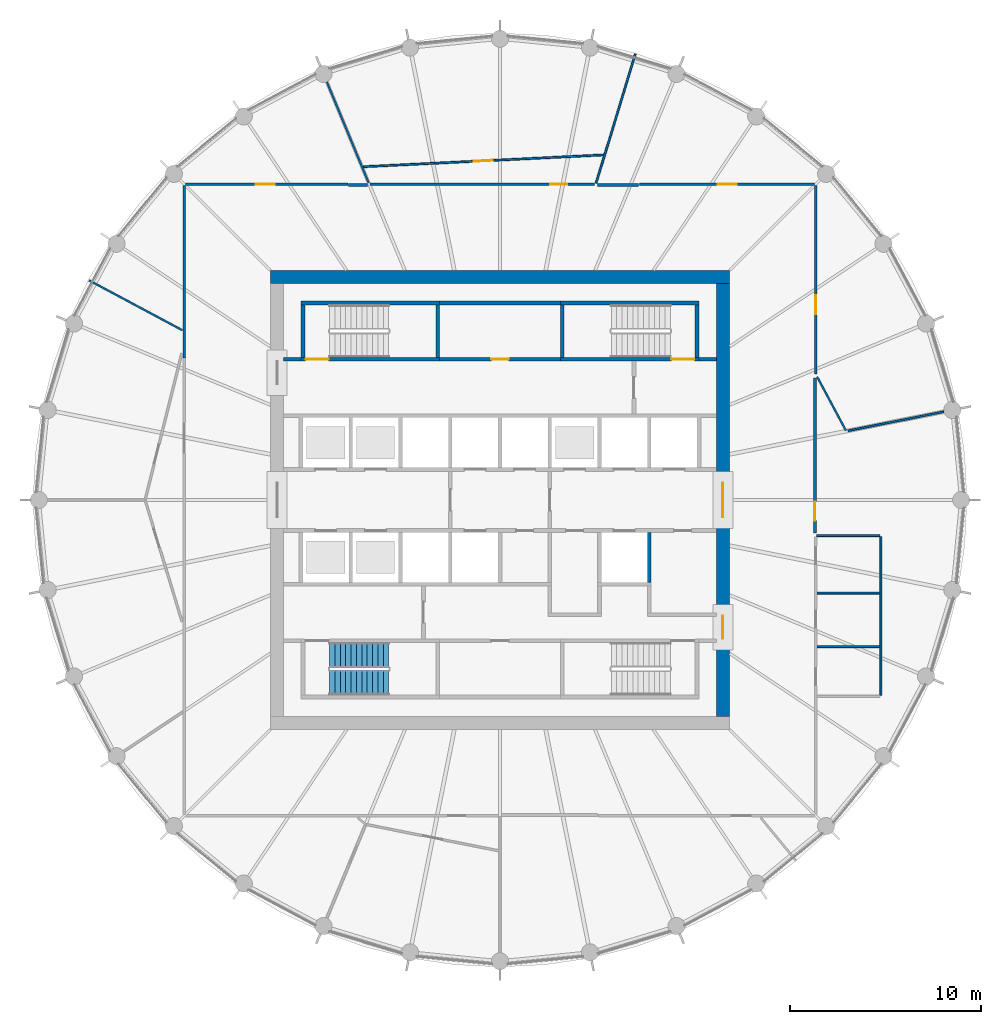
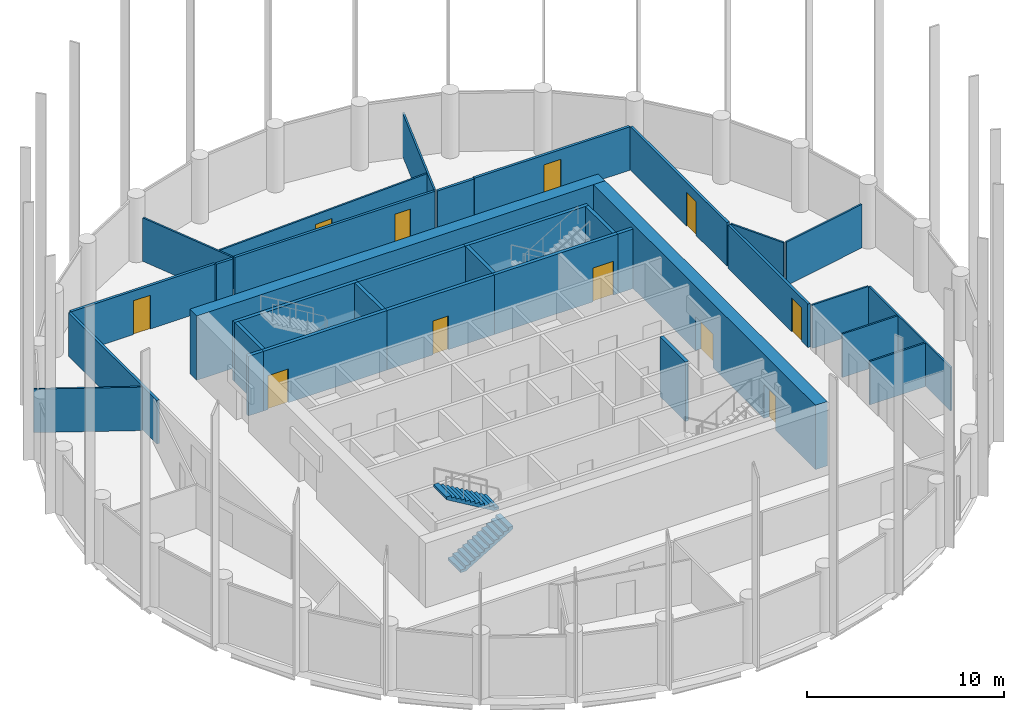
# One storey, part 6 of 9: 33 walls, 11 doors, 2 stair flights, 11 openings, 1 element without a shape of its own.
"""IFC4 building model written with IfcOpenShell, lengths in metres."""

from ifc_helpers import new_model, si_unit, direction, frame, frame_2d, origin, place, context, subcontext, project, spatial, polyline, rectangle, outline, extrude, material, layer, layer_set, type_object, element, fill, aggregate, save


model = new_model("IFC4")

# Units and contexts
model_context = context("Model", 3, precision=1e-05, world=origin(), true_north=direction((0.0, 1.0)))
body_context = subcontext(model_context, "Body", "Model", "MODEL_VIEW")
ifc_project = project(units=[si_unit("LENGTHUNIT", "METRE"), si_unit("AREAUNIT", "SQUARE_METRE"), si_unit("VOLUMEUNIT", "CUBIC_METRE"), si_unit("PLANEANGLEUNIT", "RADIAN"), si_unit("MASSUNIT", "GRAM", prefix="KILO")], contexts=[model_context])

# Site, building, storey
site_placement = place(None, origin())
site = spatial("IfcSite", under=ifc_project, at=site_placement, CompositionType="ELEMENT")
building_placement = place(site_placement, origin())
building = spatial("IfcBuilding", under=site, at=building_placement, Name="Corvane Civic Tower", CompositionType="ELEMENT")
storey_placement = place(building_placement, frame((0.0, 0.0, 263.0)))
storey = spatial("IfcBuildingStorey", under=building, at=storey_placement, Name="L62", CompositionType="ELEMENT", Elevation=263.0)

# Wall
ifc_material_1 = material(Name="Concrete C40/50", Category="concrete")
ifc_layer_1 = layer(ifc_material_1, 0.699951171875)
ifc_layer_set_1 = layer_set([ifc_layer_1], Name="Concrete C40/50")
wall_type_1 = type_object("IfcWallType", Name="CORE WALL 700 C40/50", PredefinedType="SHEAR", material=ifc_layer_set_1)
wall_1_placement = place(storey_placement, frame((-12.0, 11.64990234375, 0.0), z_axis=(0.0, 0.0, 1.0), x_axis=(1.0, 0.0, 0.0)))
element("IfcWall", 1, at=wall_1_placement, inside=storey, type_object=wall_type_1, Name="W-L62-core-N", PredefinedType="SHEAR", context=body_context, shape_type="SweptSolid", body=[
    extrude(rectangle(XDim=24.0, YDim=0.699951171875, at=frame_2d((12.0, 0.0))), origin(), (0.0, 0.0, 1.0), 4.0),
])

# Wall, openings, doors
wall_2_placement = place(storey_placement, frame((11.64990234375, -11.300048828125, 0.0), z_axis=(0.0, 0.0, 1.0), x_axis=(0.0, 1.0, 0.0)))
wall_2 = element("IfcWall", 2, at=wall_2_placement, inside=storey, type_object=wall_type_1, Name="W-L62-core-E", PredefinedType="SHEAR", context=body_context, shape_type="SweptSolid", body=[
    extrude(rectangle(XDim=22.60009765625, YDim=0.699951171875, at=frame_2d((11.300048828125, 0.0))), origin(), (0.0, 0.0, 1.0), 4.0),
])
opening_1_placement = place(wall_2_placement, frame((10.39990234375, 0.0, 0.0)))
opening_1 = element("IfcOpeningElement", 3, at=opening_1_placement, cuts=wall_2, Name="Opening L62.C15", PredefinedType="OPENING", context=body_context, shape_type="SweptSolid", body=[
    extrude(rectangle(XDim=1.800048828125, YDim=2.10009765625, at=frame_2d((0.89990234375, 1.050048828125))), frame((0.0, 0.35986328125, 0.0), z_axis=(0.0, -1.0, 0.0), x_axis=(1.0, 0.0, 0.0)), (0.0, 0.0, 1.0), 0.719970703125),
])
opening_2_placement = place(wall_2_placement, frame((4.050048828125, 0.0, 0.0)))
opening_2 = element("IfcOpeningElement", 4, at=opening_2_placement, cuts=wall_2, Name="Opening L62.C17", PredefinedType="OPENING", context=body_context, shape_type="SweptSolid", body=[
    extrude(rectangle(XDim=1.199951171875, YDim=2.10009765625, at=frame_2d((0.60009765625, 1.050048828125))), frame((0.0, 0.35986328125, 0.0), z_axis=(0.0, -1.0, 0.0), x_axis=(1.0, 0.0, 0.0)), (0.0, 0.0, 1.0), 0.719970703125),
])
ifc_material_2 = material(Name="Steel fire door leaf", Category="steel")
door_type_1 = type_object("IfcDoorType", Name="CR-DOOR-CORE-1800", OperationType="DOUBLE_DOOR_SINGLE_SWING", PredefinedType="DOOR", material=ifc_material_2)
door_1_placement = place(opening_1_placement, origin())
door_1 = element("IfcDoor", 5, at=door_1_placement, inside=storey, type_object=door_type_1, Name="L62 door", OperationType="DOUBLE_DOOR_SINGLE_SWING", OverallHeight=2.10009765625, OverallWidth=1.800048828125, PredefinedType="DOOR", context=body_context, shape_type="SweptSolid", body=[
    extrude(rectangle(XDim=1.800048828125, YDim=2.10009765625, at=frame_2d((0.89990234375, 1.050048828125))), frame((0.0, 0.02490234375, 0.0), z_axis=(0.0, -1.0, 0.0), x_axis=(1.0, 0.0, 0.0)), (0.0, 0.0, 1.0), 0.050048828125),
])
fill(opening_1, door_1)
door_2_placement = place(opening_2_placement, origin())
door_2 = element("IfcDoor", 6, at=door_2_placement, inside=storey, type_object=door_type_1, Name="L62 door", OperationType="DOUBLE_DOOR_SINGLE_SWING", OverallHeight=2.10009765625, OverallWidth=1.199951171875, PredefinedType="DOOR", context=body_context, shape_type="SweptSolid", body=[
    extrude(rectangle(XDim=1.199951171875, YDim=2.10009765625, at=frame_2d((0.60009765625, 1.050048828125))), frame((0.0, 0.02490234375, 0.0), z_axis=(0.0, -1.0, 0.0), x_axis=(1.0, 0.0, 0.0)), (0.0, 0.0, 1.0), 0.050048828125),
])
fill(opening_2, door_2)

# Wall, opening, door
ifc_material_3 = material(Name="Concrete C30/37", Category="concrete")
ifc_layer_2 = layer(ifc_material_3, 0.199951171875)
ifc_layer_set_2 = layer_set([ifc_layer_2], Name="Concrete C30/37")
wall_type_2 = type_object("IfcWallType", Name="CR-WALL-200", PredefinedType="PARTITIONING", material=ifc_layer_set_2)
wall_3_placement = place(storey_placement, frame((-3.14990234375, 7.35009765625, 0.0), z_axis=(0.0, 0.0, 1.0), x_axis=(1.0, 0.0, 0.0)))
wall_3 = element("IfcWall", 7, at=wall_3_placement, inside=storey, type_object=wall_type_2, Name="L62 core partition wall", PredefinedType="PARTITIONING", context=body_context, shape_type="SweptSolid", body=[
    extrude(rectangle(XDim=6.2998046875, YDim=0.199951171875, at=frame_2d((3.14990234375, 0.0))), origin(), (0.0, 0.0, 1.0), 3.699951171875),
])
opening_3_placement = place(wall_3_placement, frame((2.699951171875, 0.0, 0.0)))
opening_3 = element("IfcOpeningElement", 8, at=opening_3_placement, cuts=wall_3, Name="Opening L62.C04", PredefinedType="OPENING", context=body_context, shape_type="SweptSolid", body=[
    extrude(rectangle(XDim=0.89990234375, YDim=2.10009765625, at=frame_2d((0.449951171875, 1.050048828125))), frame((0.0, 0.10986328125, 0.0), z_axis=(0.0, -1.0, 0.0), x_axis=(1.0, 0.0, 0.0)), (0.0, 0.0, 1.0), 0.219970703125),
])
ifc_material_4 = material(Name="Steel fire door leaf", Category="steel")
door_type_2 = type_object("IfcDoorType", Name="CR-DOOR-900", OperationType="SINGLE_SWING_LEFT", PredefinedType="DOOR", material=ifc_material_4)
door_3_placement = place(opening_3_placement, origin())
door_3 = element("IfcDoor", 9, at=door_3_placement, inside=storey, type_object=door_type_2, Name="L62 door", OperationType="SINGLE_SWING_LEFT", OverallHeight=2.10009765625, OverallWidth=0.89990234375, PredefinedType="DOOR", context=body_context, shape_type="SweptSolid", body=[
    extrude(rectangle(XDim=0.89990234375, YDim=2.10009765625, at=frame_2d((0.449951171875, 1.050048828125))), frame((0.0, 0.02490234375, 0.0), z_axis=(0.0, -1.0, 0.0), x_axis=(1.0, 0.0, 0.0)), (0.0, 0.0, 1.0), 0.050048828125),
])
fill(opening_3, door_3)

# Walls
wall_4_placement = place(storey_placement, origin())
element("IfcWall", 10, at=wall_4_placement, inside=storey, type_object=wall_type_2, Name="L62 core partition wall", PredefinedType="PARTITIONING", context=body_context, shape_type="SweptSolid", body=[
    extrude(outline(polyline([(7.89990234375, -1.699951171875), (7.89990234375, -4.2998046875), (7.699951171875, -4.2998046875), (7.699951171875, -1.699951171875), (7.89990234375, -1.699951171875)])), origin(), (0.0, 0.0, 1.0), 3.699951171875),
])
wall_5_placement = place(storey_placement, origin())
element("IfcWall", 11, at=wall_5_placement, inside=storey, type_object=wall_type_2, Name="L62 core partition wall", PredefinedType="PARTITIONING", context=body_context, shape_type="SweptSolid", body=[
    extrude(outline(polyline([(-11.300048828125, 7.25), (-11.300048828125, 7.449951171875), (-10.39990234375, 7.449951171875), (-10.39990234375, 7.25), (-11.300048828125, 7.25)])), origin(), (0.0, 0.0, 1.0), 3.699951171875),
])
wall_6_placement = place(storey_placement, origin())
element("IfcWall", 12, at=wall_6_placement, inside=storey, type_object=wall_type_2, Name="L62 core partition wall", PredefinedType="PARTITIONING", context=body_context, shape_type="SweptSolid", body=[
    extrude(outline(polyline([(3.14990234375, 10.199951171875), (-3.14990234375, 10.199951171875), (-3.14990234375, 10.39990234375), (3.14990234375, 10.39990234375), (3.14990234375, 10.199951171875)])), origin(), (0.0, 0.0, 1.0), 3.699951171875),
])
wall_7_placement = place(storey_placement, origin())
element("IfcWall", 13, at=wall_7_placement, inside=storey, type_object=wall_type_2, Name="L62 core partition wall", PredefinedType="PARTITIONING", context=body_context, shape_type="SweptSolid", body=[
    extrude(outline(polyline([(10.39990234375, 7.25), (10.39990234375, 7.449951171875), (11.300048828125, 7.449951171875), (11.300048828125, 7.25), (10.39990234375, 7.25)])), origin(), (0.0, 0.0, 1.0), 3.699951171875),
])
ifc_material_5 = material(Name="Plasterboard")
ifc_layer_3 = layer(ifc_material_5, 0.10009765625)
ifc_layer_set_3 = layer_set([ifc_layer_3], Name="Plasterboard")
wall_type_3 = type_object("IfcWallType", Name="Partition 100 plasterboard on studs", PredefinedType="PARTITIONING", material=ifc_layer_set_3)
wall_8_placement = place(storey_placement, frame((19.89990234375, -10.2119140625, 0.0), z_axis=(0.0, 0.0, 1.0), x_axis=(0.0, 1.0, 0.0)))
element("IfcWall", 14, at=wall_8_placement, inside=storey, type_object=wall_type_3, Name="Partition L62.012", PredefinedType="PARTITIONING", context=body_context, shape_type="SweptSolid", body=[
    extrude(rectangle(XDim=8.300048828125, YDim=0.10009765625, at=frame_2d((4.14990234375, 0.0))), origin(), (0.0, 0.0, 1.0), 2.699951171875),
])
for number, where, z_axis, x_axis, name in (
    (15, (16.574951171875, -7.661865234375, 0.0), (0.0, 0.0, 1.0), (1.0, 0.0, 0.0), "Partition L62.013"),
    (16, (16.574951171875, -4.86181640625, 0.0), (0.0, 0.0, 1.0), (1.0, 0.0, 0.0), "Partition L62.016"),
):
    element("IfcWall", number, at=place(storey_placement, frame(where, z_axis=z_axis, x_axis=x_axis)), inside=storey, type_object=wall_type_3, Name=name, PredefinedType="PARTITIONING", context=body_context, shape_type="SweptSolid", body=[
        extrude(rectangle(XDim=3.275146484375, YDim=0.10009765625, at=frame_2d((1.6376953125, 0.0))), origin(), (0.0, 0.0, 1.0), 2.699951171875),
    ])
wall_9_placement = place(storey_placement, frame((16.550048828125, -1.86181640625, 0.0), z_axis=(0.0, 0.0, 1.0), x_axis=(1.0, 0.0, 0.0)))
element("IfcWall", 17, at=wall_9_placement, inside=storey, type_object=wall_type_3, Name="Partition L62.017", PredefinedType="PARTITIONING", context=body_context, shape_type="SweptSolid", body=[
    extrude(rectangle(XDim=3.300048828125, YDim=0.10009765625, at=frame_2d((1.64990234375, 0.0))), origin(), (0.0, 0.0, 1.0), 2.699951171875),
])
wall_10_placement = place(storey_placement, frame((18.1845703125, 3.6171875, 0.0), z_axis=(0.0, 0.0, 1.0), x_axis=(0.980791874467, 0.195057168493, 0.0)))
element("IfcWall", 18, at=wall_10_placement, inside=storey, type_object=wall_type_3, Name="Partition L62.021", PredefinedType="PARTITIONING", context=body_context, shape_type="SweptSolid", body=[
    extrude(rectangle(XDim=5.09912109375, YDim=0.10009765625, at=frame_2d((2.549560546875, 0.0))), origin(), (0.0, 0.0, 1.0), 2.699951171875),
])
wall_11_placement = place(storey_placement, frame((16.569091796875, 6.441162109375, 0.0), z_axis=(0.0, 0.0, 1.0), x_axis=(0.471411176232, -0.881913546173, 0.0)))
element("IfcWall", 19, at=wall_11_placement, inside=storey, type_object=wall_type_3, Name="Partition L62.022", PredefinedType="PARTITIONING", context=body_context, shape_type="SweptSolid", body=[
    extrude(rectangle(XDim=3.1865234375, YDim=0.10009765625, at=frame_2d((1.59326171875, 0.0))), origin(), (0.0, 0.0, 1.0), 2.699951171875),
])
wall_12_placement = place(storey_placement, frame((-21.47509765625, 11.478515625, 0.0), z_axis=(0.0, 0.0, 1.0), x_axis=(0.881927237944, -0.471385560844, 0.0)))
element("IfcWall", 20, at=wall_12_placement, inside=storey, type_object=wall_type_3, Name="Partition L62.025", PredefinedType="PARTITIONING", context=body_context, shape_type="SweptSolid", body=[
    extrude(rectangle(XDim=5.529296875, YDim=0.10009765625, at=frame_2d((2.7646484375, 0.0))), origin(), (0.0, 0.0, 1.0), 2.699951171875),
])
wall_13_placement = place(storey_placement, frame((5.021728515625, 16.554443359375, 0.0), z_axis=(0.0, 0.0, 1.0), x_axis=(0.290297604536, 0.956936414189, 0.0)))
element("IfcWall", 21, at=wall_13_placement, inside=storey, type_object=wall_type_3, Name="Partition L62.031", PredefinedType="PARTITIONING", context=body_context, shape_type="SweptSolid", body=[
    extrude(rectangle(XDim=7.051025390625, YDim=0.10009765625, at=frame_2d((3.525390625, 0.0))), origin(), (0.0, 0.0, 1.0), 2.699951171875),
])
wall_14_placement = place(storey_placement, frame((-9.046630859375, 21.84033203125, 0.0), z_axis=(0.0, 0.0, 1.0), x_axis=(0.382673022153, -0.923883844494, 0.0)))
element("IfcWall", 22, at=wall_14_placement, inside=storey, type_object=wall_type_3, Name="Partition L62.032", PredefinedType="PARTITIONING", context=body_context, shape_type="SweptSolid", body=[
    extrude(rectangle(XDim=5.70556640625, YDim=0.10009765625, at=frame_2d((2.852783203125, 0.0))), origin(), (0.0, 0.0, 1.0), 2.699951171875),
])

# Wall, opening, door
wall_15_placement = place(storey_placement, frame((-7.14013671875, 17.41259765625, 0.0), z_axis=(0.0, 0.0, 1.0), x_axis=(0.998794697584, 0.049083113972, 0.0)))
wall_15 = element("IfcWall", 23, at=wall_15_placement, inside=storey, type_object=wall_type_3, Name="Partition L62.033", PredefinedType="PARTITIONING", context=body_context, shape_type="SweptSolid", body=[
    extrude(rectangle(XDim=12.554443359375, YDim=0.10009765625, at=frame_2d((6.27734375, 0.0))), origin(), (0.0, 0.0, 1.0), 2.699951171875),
])
opening_4_placement = place(wall_15_placement, frame((5.777099609375, 0.0, 0.0)))
opening_4 = element("IfcOpeningElement", 24, at=opening_4_placement, cuts=wall_15, Name="Opening L62.008", PredefinedType="OPENING", context=body_context, shape_type="SweptSolid", body=[
    extrude(rectangle(XDim=1.0, YDim=2.10009765625, at=frame_2d((0.5, 1.050048828125))), frame((0.0, 0.06005859375, 0.0), z_axis=(0.0, -1.0, 0.0), x_axis=(1.0, 0.0, 0.0)), (0.0, 0.0, 1.0), 0.1201171875),
])
ifc_material_6 = material(Name="Timber", Category="wood")
door_type_3 = type_object("IfcDoorType", Name="Single door 1000", OperationType="NOTDEFINED", PredefinedType="DOOR", material=ifc_material_6)
door_4_placement = place(opening_4_placement, origin())
door_4 = element("IfcDoor", 25, at=door_4_placement, inside=storey, type_object=door_type_3, Name="Door L62.008", OperationType="SINGLE_SWING_RIGHT", OverallHeight=2.10009765625, OverallWidth=1.0, PredefinedType="DOOR", context=body_context, shape_type="SweptSolid", body=[
    extrude(rectangle(XDim=1.0, YDim=2.10009765625, at=frame_2d((0.5, 1.050048828125))), frame((0.0, 0.02490234375, 0.0), z_axis=(0.0, -1.0, 0.0), x_axis=(1.0, 0.0, 0.0)), (0.0, 0.0, 1.0), 0.050048828125),
])
fill(opening_4, door_4)

ifc_material_7 = material(Name="Concrete C50/60", Category="concrete")
ifc_layer_4 = layer(ifc_material_7, 0.199951171875)
ifc_layer_set_4 = layer_set([ifc_layer_4], Name="Concrete C50/60")
wall_type_4 = type_object("IfcWallType", Name="ST-WALL-200", PredefinedType="SHEAR", material=ifc_layer_set_4)
wall_16_placement = place(storey_placement, frame((-10.39990234375, 7.35009765625, 0.0), z_axis=(0.0, 0.0, 1.0), x_axis=(1.0, 0.0, 0.0)))
wall_16 = element("IfcWall", 26, at=wall_16_placement, inside=storey, type_object=wall_type_4, Name="L62 stair enclosure wall", PredefinedType="SHEAR", context=body_context, shape_type="SweptSolid", body=[
    extrude(rectangle(XDim=7.25, YDim=0.199951171875, at=frame_2d((3.625, 0.0))), origin(), (0.0, 0.0, 1.0), 3.699951171875),
])
opening_5_placement = place(wall_16_placement, frame((0.25, 0.0, 0.0)))
opening_5 = element("IfcOpeningElement", 27, at=opening_5_placement, cuts=wall_16, Name="Opening L62.C07", PredefinedType="OPENING", context=body_context, shape_type="SweptSolid", body=[
    extrude(rectangle(XDim=1.199951171875, YDim=2.10009765625, at=frame_2d((0.60009765625, 1.050048828125))), frame((0.0, 0.10986328125, 0.0), z_axis=(0.0, -1.0, 0.0), x_axis=(1.0, 0.0, 0.0)), (0.0, 0.0, 1.0), 0.219970703125),
])
ifc_material_8 = material(Name="Steel fire door leaf", Category="steel")
door_type_4 = type_object("IfcDoorType", Name="ST-DOOR-1200", OperationType="SINGLE_SWING_RIGHT", PredefinedType="DOOR", material=ifc_material_8)
door_5_placement = place(opening_5_placement, origin())
door_5 = element("IfcDoor", 28, at=door_5_placement, inside=storey, type_object=door_type_4, Name="L62 stair door", OperationType="SINGLE_SWING_RIGHT", OverallHeight=2.10009765625, OverallWidth=1.199951171875, PredefinedType="DOOR", context=body_context, shape_type="SweptSolid", body=[
    extrude(rectangle(XDim=1.199951171875, YDim=2.10009765625, at=frame_2d((0.60009765625, 1.050048828125))), frame((0.0, 0.02490234375, 0.0), z_axis=(0.0, -1.0, 0.0), x_axis=(1.0, 0.0, 0.0)), (0.0, 0.0, 1.0), 0.050048828125),
])
fill(opening_5, door_5)

wall_17_placement = place(storey_placement, frame((3.14990234375, 7.35009765625, 0.0), z_axis=(0.0, 0.0, 1.0), x_axis=(1.0, 0.0, 0.0)))
wall_17 = element("IfcWall", 29, at=wall_17_placement, inside=storey, type_object=wall_type_4, Name="L62 stair enclosure wall", PredefinedType="SHEAR", context=body_context, shape_type="SweptSolid", body=[
    extrude(rectangle(XDim=7.25, YDim=0.199951171875, at=frame_2d((3.625, 0.0))), origin(), (0.0, 0.0, 1.0), 3.699951171875),
])
opening_6_placement = place(wall_17_placement, frame((5.800048828125, 0.0, 0.0)))
opening_6 = element("IfcOpeningElement", 30, at=opening_6_placement, cuts=wall_17, Name="Opening L62.C06", PredefinedType="OPENING", context=body_context, shape_type="SweptSolid", body=[
    extrude(rectangle(XDim=1.199951171875, YDim=2.10009765625, at=frame_2d((0.60009765625, 1.050048828125))), frame((0.0, 0.10986328125, 0.0), z_axis=(0.0, -1.0, 0.0), x_axis=(1.0, 0.0, 0.0)), (0.0, 0.0, 1.0), 0.219970703125),
])
door_6_placement = place(opening_6_placement, origin())
door_6 = element("IfcDoor", 31, at=door_6_placement, inside=storey, type_object=door_type_4, Name="L62 stair door", OperationType="SINGLE_SWING_RIGHT", OverallHeight=2.10009765625, OverallWidth=1.199951171875, PredefinedType="DOOR", context=body_context, shape_type="SweptSolid", body=[
    extrude(rectangle(XDim=1.199951171875, YDim=2.10009765625, at=frame_2d((0.60009765625, 1.050048828125))), frame((0.0, 0.02490234375, 0.0), z_axis=(0.0, -1.0, 0.0), x_axis=(1.0, 0.0, 0.0)), (0.0, 0.0, 1.0), 0.050048828125),
])
fill(opening_6, door_6)

# Walls
wall_18_placement = place(storey_placement, origin())
element("IfcWall", 32, at=wall_18_placement, inside=storey, type_object=wall_type_4, Name="L62 stair enclosure wall", PredefinedType="SHEAR", context=body_context, shape_type="SweptSolid", body=[
    extrude(outline(polyline([(-3.14990234375, 10.199951171875), (-10.39990234375, 10.199951171875), (-10.39990234375, 10.39990234375), (-3.14990234375, 10.39990234375), (-3.14990234375, 10.199951171875)])), origin(), (0.0, 0.0, 1.0), 3.699951171875),
])
wall_19_placement = place(storey_placement, origin())
element("IfcWall", 33, at=wall_19_placement, inside=storey, type_object=wall_type_4, Name="L62 stair enclosure wall", PredefinedType="SHEAR", context=body_context, shape_type="SweptSolid", body=[
    extrude(outline(polyline([(10.39990234375, 10.199951171875), (3.14990234375, 10.199951171875), (3.14990234375, 10.39990234375), (10.39990234375, 10.39990234375), (10.39990234375, 10.199951171875)])), origin(), (0.0, 0.0, 1.0), 3.699951171875),
])
wall_20_placement = place(storey_placement, origin())
element("IfcWall", 34, at=wall_20_placement, inside=storey, type_object=wall_type_4, Name="L62 stair enclosure wall", PredefinedType="SHEAR", context=body_context, shape_type="SweptSolid", body=[
    extrude(outline(polyline([(-3.14990234375, 7.449951171875), (-3.35009765625, 7.449951171875), (-3.35009765625, 10.199951171875), (-3.14990234375, 10.199951171875), (-3.14990234375, 7.449951171875)])), origin(), (0.0, 0.0, 1.0), 3.699951171875),
])
wall_21_placement = place(storey_placement, origin())
element("IfcWall", 35, at=wall_21_placement, inside=storey, type_object=wall_type_4, Name="L62 stair enclosure wall", PredefinedType="SHEAR", context=body_context, shape_type="SweptSolid", body=[
    extrude(outline(polyline([(3.35009765625, 7.449951171875), (3.14990234375, 7.449951171875), (3.14990234375, 10.199951171875), (3.35009765625, 10.199951171875), (3.35009765625, 7.449951171875)])), origin(), (0.0, 0.0, 1.0), 3.699951171875),
])
wall_22_placement = place(storey_placement, origin())
element("IfcWall", 36, at=wall_22_placement, inside=storey, type_object=wall_type_4, Name="L62 stair enclosure wall", PredefinedType="SHEAR", context=body_context, shape_type="SweptSolid", body=[
    extrude(outline(polyline([(-10.199951171875, 7.449951171875), (-10.39990234375, 7.449951171875), (-10.39990234375, 10.199951171875), (-10.199951171875, 10.199951171875), (-10.199951171875, 7.449951171875)])), origin(), (0.0, 0.0, 1.0), 3.699951171875),
])
wall_23_placement = place(storey_placement, origin())
element("IfcWall", 37, at=wall_23_placement, inside=storey, type_object=wall_type_4, Name="L62 stair enclosure wall", PredefinedType="SHEAR", context=body_context, shape_type="SweptSolid", body=[
    extrude(outline(polyline([(10.39990234375, 7.449951171875), (10.199951171875, 7.449951171875), (10.199951171875, 10.199951171875), (10.39990234375, 10.199951171875), (10.39990234375, 7.449951171875)])), origin(), (0.0, 0.0, 1.0), 3.699951171875),
])

# Wall, opening, door
ifc_material_9 = material(Name="Plasterboard")
ifc_layer_5 = layer(ifc_material_9, 0.14990234375)
ifc_layer_set_5 = layer_set([ifc_layer_5], Name="Plasterboard")
wall_type_5 = type_object("IfcWallType", Name="Tenancy wall 150 EI 60", PredefinedType="PARTITIONING", material=ifc_layer_set_5)
wall_24_placement = place(storey_placement, frame((16.449951171875, -1.7275390625, 0.0), z_axis=(0.0, 0.0, 1.0), x_axis=(0.0, 1.0, 0.0)))
wall_24 = element("IfcWall", 38, at=wall_24_placement, inside=storey, type_object=wall_type_5, Name="Partition L62.018", PredefinedType="PARTITIONING", context=body_context, shape_type="SweptSolid", body=[
    extrude(rectangle(XDim=8.092041015625, YDim=0.14990234375, at=frame_2d((4.0458984375, 0.0))), origin(), (0.0, 0.0, 1.0), 2.699951171875),
])
opening_7_placement = place(wall_24_placement, frame((0.643798828125, 0.0, 0.0)))
opening_7 = element("IfcOpeningElement", 39, at=opening_7_placement, cuts=wall_24, Name="Opening L62.012", PredefinedType="OPENING", context=body_context, shape_type="SweptSolid", body=[
    extrude(rectangle(XDim=1.0, YDim=2.10009765625, at=frame_2d((0.5, 1.050048828125))), frame((0.0, 0.0849609375, 0.0), z_axis=(0.0, -1.0, 0.0), x_axis=(1.0, 0.0, 0.0)), (0.0, 0.0, 1.0), 0.169921875),
])
ifc_material_10 = material(Name="Steel and timber", Category="steel")
door_type_5 = type_object("IfcDoorType", Name="Fire door FD30S 1000", OperationType="NOTDEFINED", PredefinedType="DOOR", material=ifc_material_10)
door_7_placement = place(opening_7_placement, frame((1.0, 0.0, 0.0), z_axis=(0.0, 0.0, 1.0), x_axis=(-1.0, 0.0, 0.0)))
door_7 = element("IfcDoor", 40, at=door_7_placement, inside=storey, type_object=door_type_5, Name="Door L62.012", OperationType="SINGLE_SWING_LEFT", OverallHeight=2.10009765625, OverallWidth=1.0, PredefinedType="DOOR", context=body_context, shape_type="SweptSolid", body=[
    extrude(rectangle(XDim=1.0, YDim=2.10009765625, at=frame_2d((0.5, 1.050048828125))), frame((0.0, 0.02490234375, 0.0), z_axis=(0.0, -1.0, 0.0), x_axis=(1.0, 0.0, 0.0)), (0.0, 0.0, 1.0), 0.050048828125),
])
fill(opening_7, door_7)

wall_25_placement = place(storey_placement, frame((16.5, 6.58935546875, 0.0), z_axis=(0.0, 0.0, 1.0), x_axis=(0.0, 1.0, 0.0)))
wall_25 = element("IfcWall", 41, at=wall_25_placement, inside=storey, type_object=wall_type_5, Name="Partition L62.023", PredefinedType="PARTITIONING", context=body_context, shape_type="SweptSolid", body=[
    extrude(rectangle(XDim=9.835693359375, YDim=0.14990234375, at=frame_2d((4.91796875, 0.0))), origin(), (0.0, 0.0, 1.0), 2.699951171875),
])
opening_8_placement = place(wall_25_placement, frame((3.115966796875, 0.0, 0.0)))
opening_8 = element("IfcOpeningElement", 42, at=opening_8_placement, cuts=wall_25, Name="Opening L62.011", PredefinedType="OPENING", context=body_context, shape_type="SweptSolid", body=[
    extrude(rectangle(XDim=1.0, YDim=2.10009765625, at=frame_2d((0.5, 1.050048828125))), frame((0.0, 0.0849609375, 0.0), z_axis=(0.0, -1.0, 0.0), x_axis=(1.0, 0.0, 0.0)), (0.0, 0.0, 1.0), 0.169921875),
])
door_8_placement = place(opening_8_placement, frame((1.0, 0.0, 0.0), z_axis=(0.0, 0.0, 1.0), x_axis=(-1.0, 0.0, 0.0)))
door_8 = element("IfcDoor", 43, at=door_8_placement, inside=storey, type_object=door_type_5, Name="Door L62.011", OperationType="SINGLE_SWING_RIGHT", OverallHeight=2.10009765625, OverallWidth=1.0, PredefinedType="DOOR", context=body_context, shape_type="SweptSolid", body=[
    extrude(rectangle(XDim=1.0, YDim=2.10009765625, at=frame_2d((0.5, 1.050048828125))), frame((0.0, 0.02490234375, 0.0), z_axis=(0.0, -1.0, 0.0), x_axis=(1.0, 0.0, 0.0)), (0.0, 0.0, 1.0), 0.050048828125),
])
fill(opening_8, door_8)

# Walls
wall_26_placement = place(storey_placement, frame((-16.5, 7.421142578125, 0.0), z_axis=(0.0, 0.0, 1.0), x_axis=(0.0, 1.0, 0.0)))
element("IfcWall", 44, at=wall_26_placement, inside=storey, type_object=wall_type_5, Name="Partition L62.024", PredefinedType="PARTITIONING", context=body_context, shape_type="SweptSolid", body=[
    extrude(rectangle(XDim=9.00390625, YDim=0.14990234375, at=frame_2d((4.501953125, 0.0))), origin(), (0.0, 0.0, 1.0), 2.699951171875),
])
wall_27_placement = place(storey_placement, frame((-7.90380859375, 16.449951171875, 0.0), z_axis=(0.0, 0.0, 1.0), x_axis=(1.0, 0.0, 0.0)))
element("IfcWall", 45, at=wall_27_placement, inside=storey, type_object=wall_type_5, Name="Partition L62.026", PredefinedType="PARTITIONING", context=body_context, shape_type="SweptSolid", body=[
    extrude(rectangle(XDim=0.977783203125, YDim=0.14990234375, at=frame_2d((0.48876953125, 0.0))), origin(), (0.0, 0.0, 1.0), 2.699951171875),
])
wall_28_placement = place(storey_placement, frame((5.09130859375, 16.449951171875, 0.0), z_axis=(0.0, 0.0, 1.0), x_axis=(1.0, 0.0, 0.0)))
element("IfcWall", 46, at=wall_28_placement, inside=storey, type_object=wall_type_5, Name="Partition L62.027", PredefinedType="PARTITIONING", context=body_context, shape_type="SweptSolid", body=[
    extrude(rectangle(XDim=2.140380859375, YDim=0.14990234375, at=frame_2d((1.0703125, 0.0))), origin(), (0.0, 0.0, 1.0), 2.699951171875),
])

# Wall, opening, door
wall_29_placement = place(storey_placement, frame((-16.425048828125, 16.5, 0.0), z_axis=(0.0, 0.0, 1.0), x_axis=(1.0, 0.0, 0.0)))
wall_29 = element("IfcWall", 47, at=wall_29_placement, inside=storey, type_object=wall_type_5, Name="Partition L62.028", PredefinedType="PARTITIONING", context=body_context, shape_type="SweptSolid", body=[
    extrude(rectangle(XDim=8.47119140625, YDim=0.14990234375, at=frame_2d((4.235595703125, 0.0))), origin(), (0.0, 0.0, 1.0), 2.699951171875),
])
opening_9_placement = place(wall_29_placement, frame((3.66552734375, 0.0, 0.0)))
opening_9 = element("IfcOpeningElement", 48, at=opening_9_placement, cuts=wall_29, Name="Opening L62.007", PredefinedType="OPENING", context=body_context, shape_type="SweptSolid", body=[
    extrude(rectangle(XDim=1.0, YDim=2.10009765625, at=frame_2d((0.5, 1.050048828125))), frame((0.0, 0.0849609375, 0.0), z_axis=(0.0, -1.0, 0.0), x_axis=(1.0, 0.0, 0.0)), (0.0, 0.0, 1.0), 0.169921875),
])
door_9_placement = place(opening_9_placement, origin())
door_9 = element("IfcDoor", 49, at=door_9_placement, inside=storey, type_object=door_type_5, Name="Door L62.007", OperationType="SINGLE_SWING_LEFT", OverallHeight=2.10009765625, OverallWidth=1.0, PredefinedType="DOOR", context=body_context, shape_type="SweptSolid", body=[
    extrude(rectangle(XDim=1.0, YDim=2.10009765625, at=frame_2d((0.5, 1.050048828125))), frame((0.0, 0.02490234375, 0.0), z_axis=(0.0, -1.0, 0.0), x_axis=(1.0, 0.0, 0.0)), (0.0, 0.0, 1.0), 0.050048828125),
])
fill(opening_9, door_9)

wall_30_placement = place(storey_placement, frame((-6.784423828125, 16.5, 0.0), z_axis=(0.0, 0.0, 1.0), x_axis=(1.0, 0.0, 0.0)))
wall_30 = element("IfcWall", 50, at=wall_30_placement, inside=storey, type_object=wall_type_5, Name="Partition L62.029", PredefinedType="PARTITIONING", context=body_context, shape_type="SweptSolid", body=[
    extrude(rectangle(XDim=11.734130859375, YDim=0.14990234375, at=frame_2d((5.8671875, 0.0))), origin(), (0.0, 0.0, 1.0), 2.699951171875),
])
opening_10_placement = place(wall_30_placement, frame((9.398193359375, 0.0, 0.0)))
opening_10 = element("IfcOpeningElement", 51, at=opening_10_placement, cuts=wall_30, Name="Opening L62.009", PredefinedType="OPENING", context=body_context, shape_type="SweptSolid", body=[
    extrude(rectangle(XDim=0.89990234375, YDim=2.10009765625, at=frame_2d((0.449951171875, 1.050048828125))), frame((0.0, 0.0849609375, 0.0), z_axis=(0.0, -1.0, 0.0), x_axis=(1.0, 0.0, 0.0)), (0.0, 0.0, 1.0), 0.169921875),
])
ifc_material_11 = material(Name="Steel and timber", Category="steel")
door_type_6 = type_object("IfcDoorType", Name="Fire door FD30S 900", OperationType="NOTDEFINED", PredefinedType="DOOR", material=ifc_material_11)
door_10_placement = place(opening_10_placement, origin())
door_10 = element("IfcDoor", 52, at=door_10_placement, inside=storey, type_object=door_type_6, Name="Door L62.009", OperationType="SINGLE_SWING_LEFT", OverallHeight=2.10009765625, OverallWidth=0.89990234375, PredefinedType="DOOR", context=body_context, shape_type="SweptSolid", body=[
    extrude(rectangle(XDim=0.89990234375, YDim=2.10009765625, at=frame_2d((0.449951171875, 1.050048828125))), frame((0.0, 0.02490234375, 0.0), z_axis=(0.0, -1.0, 0.0), x_axis=(1.0, 0.0, 0.0)), (0.0, 0.0, 1.0), 0.050048828125),
])
fill(opening_10, door_10)

wall_31_placement = place(storey_placement, frame((7.28173828125, 16.5, 0.0), z_axis=(0.0, 0.0, 1.0), x_axis=(1.0, 0.0, 0.0)))
wall_31 = element("IfcWall", 53, at=wall_31_placement, inside=storey, type_object=wall_type_5, Name="Partition L62.030", PredefinedType="PARTITIONING", context=body_context, shape_type="SweptSolid", body=[
    extrude(rectangle(XDim=9.143310546875, YDim=0.14990234375, at=frame_2d((4.57177734375, 0.0))), origin(), (0.0, 0.0, 1.0), 2.699951171875),
])
opening_11_placement = place(wall_31_placement, frame((4.0849609375, 0.0, 0.0)))
opening_11 = element("IfcOpeningElement", 54, at=opening_11_placement, cuts=wall_31, Name="Opening L62.010", PredefinedType="OPENING", context=body_context, shape_type="SweptSolid", body=[
    extrude(rectangle(XDim=1.0, YDim=2.10009765625, at=frame_2d((0.5, 1.050048828125))), frame((0.0, 0.0849609375, 0.0), z_axis=(0.0, -1.0, 0.0), x_axis=(1.0, 0.0, 0.0)), (0.0, 0.0, 1.0), 0.169921875),
])
door_11_placement = place(opening_11_placement, origin())
door_11 = element("IfcDoor", 55, at=door_11_placement, inside=storey, type_object=door_type_5, Name="Door L62.010", OperationType="SINGLE_SWING_LEFT", OverallHeight=2.10009765625, OverallWidth=1.0, PredefinedType="DOOR", context=body_context, shape_type="SweptSolid", body=[
    extrude(rectangle(XDim=1.0, YDim=2.10009765625, at=frame_2d((0.5, 1.050048828125))), frame((0.0, 0.02490234375, 0.0), z_axis=(0.0, -1.0, 0.0), x_axis=(1.0, 0.0, 0.0)), (0.0, 0.0, 1.0), 0.050048828125),
])
fill(opening_11, door_11)

# Stair, stair flights
ifc_material_12 = material(Name="Concrete C40/50", Category="concrete")
stair_type = type_object("IfcStairType", Name="ST-STAIR-HALFTURN", PredefinedType="HALF_TURN_STAIR", material=ifc_material_12)
stair_placement = place(storey_placement, origin())
stair = element("IfcStair", 56, at=stair_placement, inside=storey, type_object=stair_type, Name="L62 Exit stair ST3", PredefinedType="HALF_TURN_STAIR")
ifc_material_13 = material(Name="Concrete C40/50", Category="concrete")
stair_flight_type = type_object("IfcStairFlightType", Name="ST-FLIGHT-RC", PredefinedType="STRAIGHT", material=ifc_material_13)
stair_flight_1_placement = place(storey_placement, frame((-8.89990234375, -9.550048828125, 0.0), z_axis=(0.0, 0.0, 1.0), x_axis=(1.0, 0.0, 0.0)))
stair_flight_1 = element("IfcStairFlight", 57, at=stair_flight_1_placement, type_object=stair_flight_type, Name="ST3 flight 1", NumberOfRisers=12, NumberOfTreads=11, PredefinedType="STRAIGHT", RiserHeight=0.166666667, TreadLength=0.28, context=body_context, shape_type="SweptSolid", body=[
    extrude(outline(polyline([(0.0, 0.0), (0.0, 0.166748046875), (0.280029296875, 0.166748046875), (0.280029296875, 0.333251953125), (0.56005859375, 0.333251953125), (0.56005859375, 0.5), (0.840087890625, 0.5), (0.840087890625, 0.666748046875), (1.1201171875, 0.666748046875), (1.1201171875, 0.833251953125), (1.39990234375, 0.833251953125), (1.39990234375, 1.0), (1.679931640625, 1.0), (1.679931640625, 1.166748046875), (1.9599609375, 1.166748046875), (1.9599609375, 1.333251953125), (2.239990234375, 1.333251953125), (2.239990234375, 1.5), (2.52001953125, 1.5), (2.52001953125, 1.666748046875), (2.800048828125, 1.666748046875), (2.800048828125, 1.833251953125), (3.080078125, 1.833251953125), (3.080078125, 2.0), (3.080078125, 1.658935546875), (0.29296875, 0.0), (0.0, 0.0)])), frame((0.0, 0.64990234375, 0.0), z_axis=(0.0, -1.0, 0.0), x_axis=(1.0, 0.0, 0.0)), (0.0, 0.0, 1.0), 1.300048828125),
])
stair_flight_2_placement = place(storey_placement, frame((-5.820068359375, -8.10009765625, 2.0), z_axis=(0.0, 0.0, 1.0), x_axis=(-1.0, 0.0, 0.0)))
stair_flight_2 = element("IfcStairFlight", 58, at=stair_flight_2_placement, type_object=stair_flight_type, Name="ST3 flight 2", NumberOfRisers=12, NumberOfTreads=11, PredefinedType="STRAIGHT", RiserHeight=0.166666667, TreadLength=0.28, context=body_context, shape_type="SweptSolid", body=[
    extrude(outline(polyline([(0.0, 0.0), (0.0, 0.166748046875), (0.280029296875, 0.166748046875), (0.280029296875, 0.333251953125), (0.56005859375, 0.333251953125), (0.56005859375, 0.5), (0.840087890625, 0.5), (0.840087890625, 0.666748046875), (1.1201171875, 0.666748046875), (1.1201171875, 0.833251953125), (1.39990234375, 0.833251953125), (1.39990234375, 1.0), (1.679931640625, 1.0), (1.679931640625, 1.166748046875), (1.9599609375, 1.166748046875), (1.9599609375, 1.333251953125), (2.239990234375, 1.333251953125), (2.239990234375, 1.5), (2.52001953125, 1.5), (2.52001953125, 1.666748046875), (2.800048828125, 1.666748046875), (2.800048828125, 1.833251953125), (3.080078125, 1.833251953125), (3.080078125, 2.0), (3.080078125, 1.658935546875), (0.29296875, 0.0), (0.0, 0.0)])), frame((0.0, 0.64990234375, 0.0), z_axis=(0.0, -1.0, 0.0), x_axis=(1.0, 0.0, 0.0)), (0.0, 0.0, 1.0), 1.300048828125),
])
aggregate(stair, [stair_flight_1, stair_flight_2])

save(model, "model.ifc")
